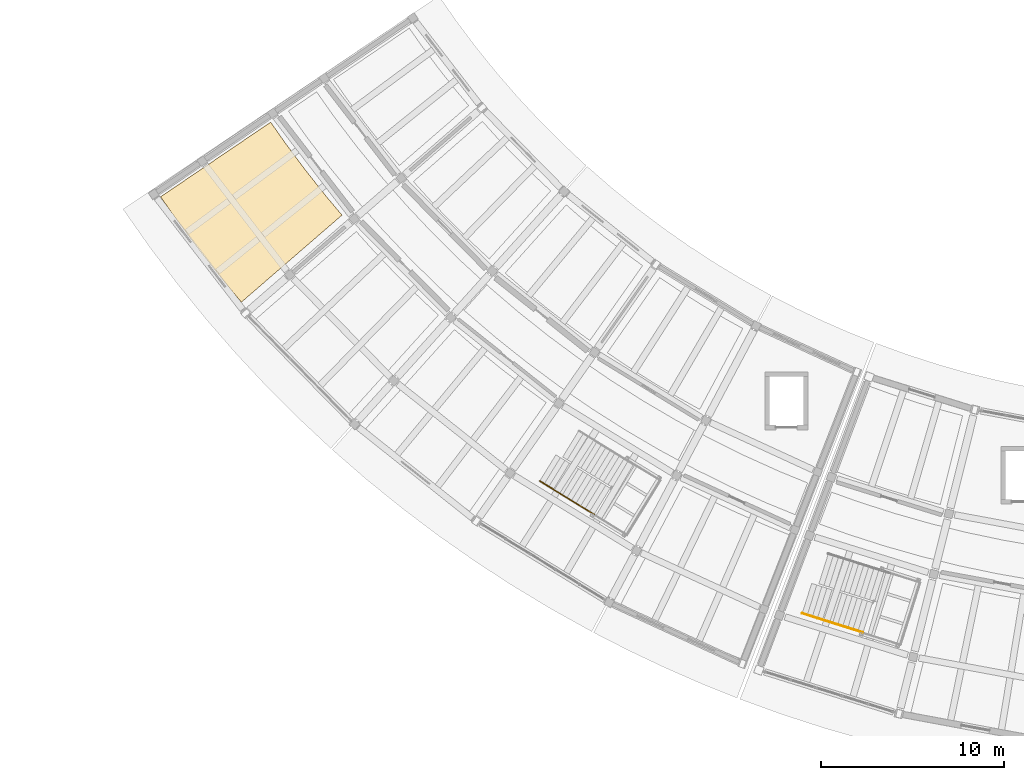
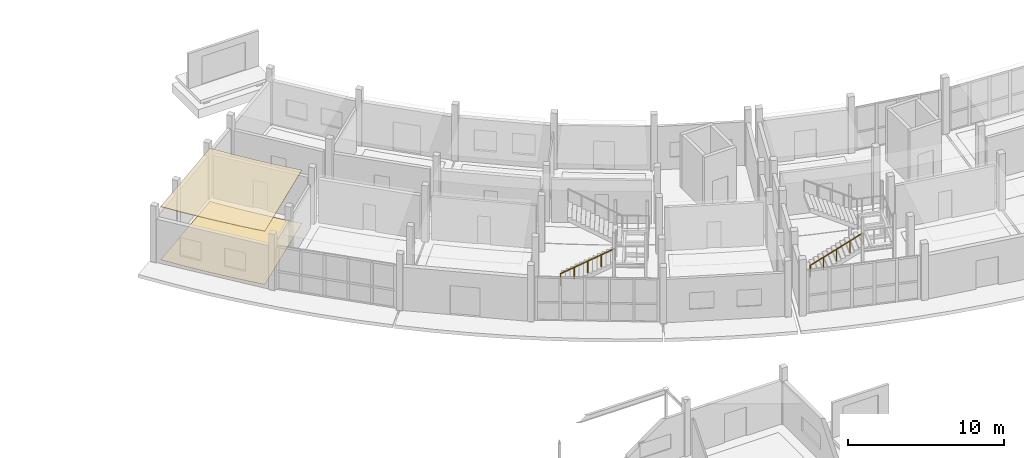
# One storey, part 78 of 92: 2 coverings, 2 railings.
"""IFC4 building model written with IfcOpenShell, lengths in metres."""

from ifc_helpers import new_model, si_unit, direction, frame, origin, origin_2d, place, context, subcontext, project, spatial, polyline, circle, outline, extrude, material, layer, layer_set, type_object, element, save


model = new_model("IFC4")

# Units and contexts
model_context = context("Model", 3, precision=1e-05, world=origin(), true_north=direction((0.0, 1.0)))
body_context = subcontext(model_context, "Body", "Model", "MODEL_VIEW")
ifc_project = project(units=[si_unit("LENGTHUNIT", "METRE"), si_unit("AREAUNIT", "SQUARE_METRE"), si_unit("VOLUMEUNIT", "CUBIC_METRE"), si_unit("PLANEANGLEUNIT", "RADIAN"), si_unit("MASSUNIT", "GRAM", prefix="KILO")], contexts=[model_context])

# Site, building, storey
site_placement = place(None, origin())
site = spatial("IfcSite", under=ifc_project, at=site_placement, CompositionType="ELEMENT")
building_placement = place(site_placement, origin())
building = spatial("IfcBuilding", under=site, at=building_placement, Name="Caldaven Crescent School", CompositionType="ELEMENT")
storey_placement = place(building_placement, origin())
storey = spatial("IfcBuildingStorey", under=building, at=storey_placement, Name="L00", CompositionType="ELEMENT", Elevation=0.0)

# Coverings
ifc_material_1 = material(Name="Perforated Pino Radiata acoustic timber baffle ceiling", Category="wood")
ifc_layer_1 = layer(ifc_material_1, 0.0458984375)
ifc_layer_set_1 = layer_set([ifc_layer_1], Name="Perforated Pino Radiata acoustic timber baffle ceiling")
covering_type_1 = type_object("IfcCoveringType", Name="COV-CLG3", PredefinedType="CEILING", material=ifc_layer_set_1)
covering_1_placement = place(storey_placement, frame((0.0, 0.0, 4.154052734375)))
element("IfcCovering", 1, at=covering_1_placement, inside=storey, type_object=covering_type_1, Name="CLG-L00-090", PredefinedType="CEILING", context=body_context, shape_type="SweptSolid", body=[
    extrude(outline(polyline([(37.66357421875, 59.68310546875), (37.671142578125, 59.672607421875), (38.752685546875, 58.219482421875), (38.7607421875, 58.208984375), (39.88427734375, 56.788330078125), (39.892578125, 56.778076171875), (40.772216796875, 55.730712890625), (35.2822265625, 50.980224609375), (34.260986328125, 52.1962890625), (32.996826171875, 53.794677734375), (31.7802734375, 55.429443359375), (30.8701171875, 56.730712890625), (36.87939453125, 60.80419921875), (37.66357421875, 59.68310546875)])), origin(), (0.0, 0.0, 1.0), 0.0458984375),
])
ifc_material_2 = material(Name="Polished terrazzo and acoustic linoleum flooring")
ifc_layer_2 = layer(ifc_material_2, 0.02001953125)
ifc_layer_set_2 = layer_set([ifc_layer_2], Name="Polished terrazzo and acoustic linoleum flooring")
covering_type_2 = type_object("IfcCoveringType", Name="COV-FLR1", PredefinedType="FLOORING", material=ifc_layer_set_2)
covering_2_placement = place(storey_placement, origin())
element("IfcCovering", 2, at=covering_2_placement, inside=storey, type_object=covering_type_2, Name="FLR-L00-090", PredefinedType="FLOORING", context=body_context, shape_type="SweptSolid", body=[
    extrude(outline(polyline([(36.87939453125, 60.80419921875), (37.66357421875, 59.68310546875), (37.671142578125, 59.672607421875), (38.752685546875, 58.219482421875), (38.7607421875, 58.208984375), (39.88427734375, 56.788330078125), (39.892578125, 56.778076171875), (40.772216796875, 55.730712890625), (35.2822265625, 50.980224609375), (34.260986328125, 52.1962890625), (32.996826171875, 53.794677734375), (31.7802734375, 55.429443359375), (30.8701171875, 56.730712890625), (36.87939453125, 60.80419921875)])), origin(), (0.0, 0.0, 1.0), 0.02001953125),
])

# Railings
ifc_material_3 = material(Name="Brushed stainless-steel continuous tubular handrail", Category="steel")
railing_type = type_object("IfcRailingType", Name="RAL-HR4", PredefinedType="HANDRAIL", material=ifc_material_3)
railing_1_placement = place(storey_placement, frame((51.56787109375, 41.218017578125, 0.173095703125)))
element("IfcRailing", 3, at=railing_1_placement, inside=storey, type_object=railing_type, Name="HR-ST1-L00-F1", PredefinedType="HANDRAIL", context=body_context, shape_type="SweptSolid", body=[
    extrude(circle(Radius=0.02392578125, at=origin_2d()), frame((0.0, 0.0, 0.916015625), z_axis=(0.735595638174, -0.450774750133, 0.505669043685), x_axis=(0.522499545001, 0.852639563634, 0.0)), (0.0, 0.0, 1.0), 4.033935546875),
    extrude(circle(Radius=0.02099609375, at=origin_2d()), origin(), (0.0, 0.0, 1.0), 0.891845703125),
    extrude(circle(Radius=0.02099609375, at=origin_2d()), frame((0.74169921875, -0.45458984375, 0.510009765625)), (0.0, 0.0, 1.0), 0.891845703125),
    extrude(circle(Radius=0.02099609375, at=origin_2d()), frame((1.483642578125, -0.9091796875, 1.02001953125)), (0.0, 0.0, 1.0), 0.891845703125),
    extrude(circle(Radius=0.02099609375, at=origin_2d()), frame((2.2255859375, -1.36376953125, 1.52978515625)), (0.0, 0.0, 1.0), 0.891845703125),
    extrude(circle(Radius=0.02099609375, at=origin_2d()), frame((2.96728515625, -1.818359375, 2.039794921875)), (0.0, 0.0, 1.0), 0.891845703125),
])
railing_2_placement = place(storey_placement, frame((65.89111328125, 33.993408203125, 0.173095703125)))
element("IfcRailing", 4, at=railing_2_placement, inside=storey, type_object=railing_type, Name="HR-ST2-L00-F1", PredefinedType="HANDRAIL", context=body_context, shape_type="SweptSolid", body=[
    extrude(circle(Radius=0.02392578125, at=origin_2d()), frame((0.0, 0.0, 0.916015625), z_axis=(0.822787513116, -0.259413511933, 0.505692928651), x_axis=(0.300694840402, 0.953720406071, 0.0)), (0.0, 0.0, 1.0), 4.03369140625),
    extrude(circle(Radius=0.02099609375, at=origin_2d()), origin(), (0.0, 0.0, 1.0), 0.891845703125),
    extrude(circle(Radius=0.02099609375, at=origin_2d()), frame((0.82958984375, -0.26171875, 0.510009765625)), (0.0, 0.0, 1.0), 0.891845703125),
    extrude(circle(Radius=0.02099609375, at=origin_2d()), frame((1.659423828125, -0.523193359375, 1.02001953125)), (0.0, 0.0, 1.0), 0.891845703125),
    extrude(circle(Radius=0.02099609375, at=origin_2d()), frame((2.4892578125, -0.78466796875, 1.52978515625)), (0.0, 0.0, 1.0), 0.891845703125),
    extrude(circle(Radius=0.02099609375, at=origin_2d()), frame((3.31884765625, -1.04638671875, 2.039794921875)), (0.0, 0.0, 1.0), 0.891845703125),
])

save(model, "model.ifc")
